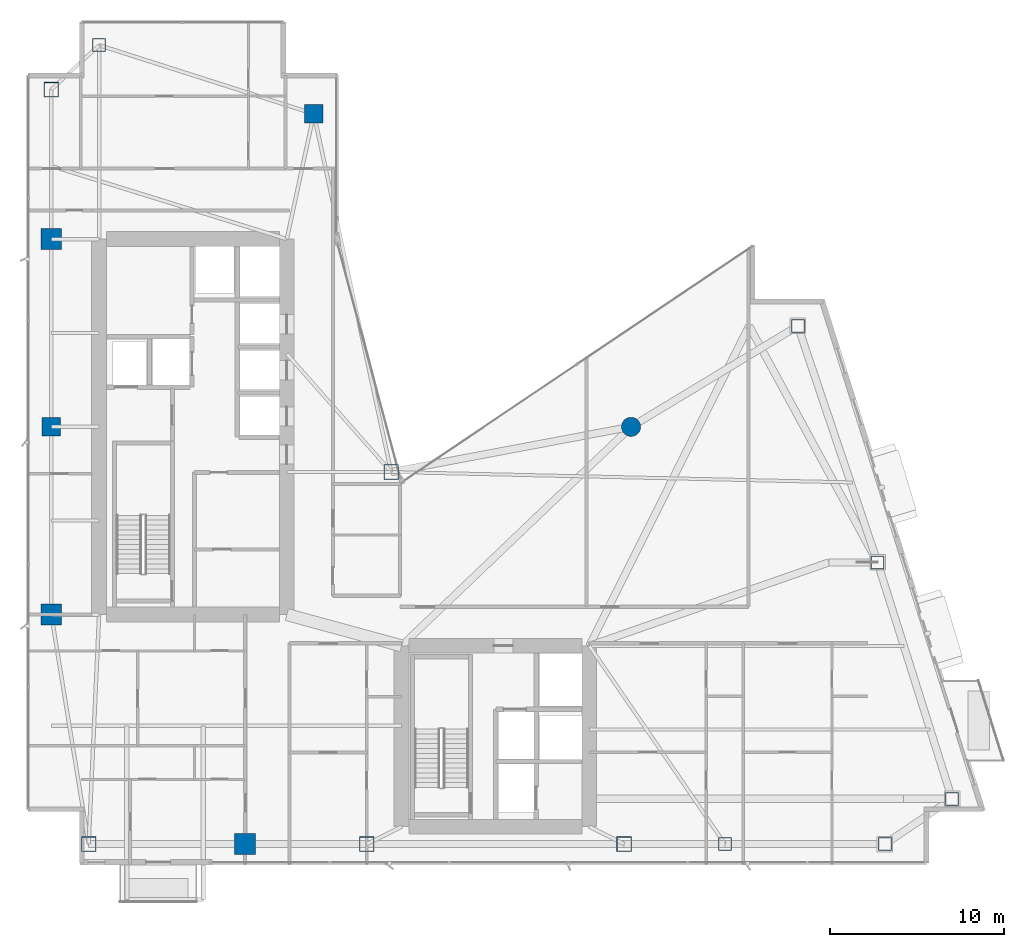
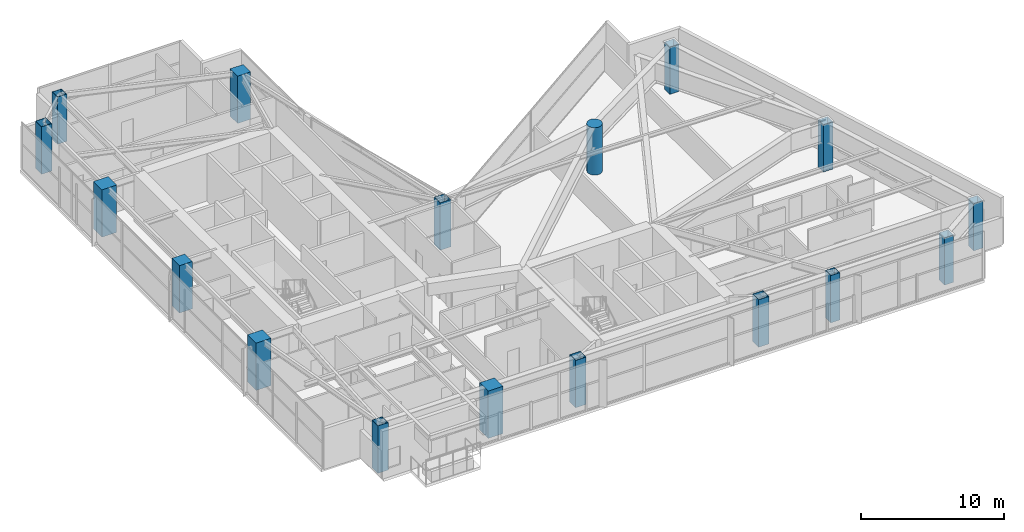
# One storey, part 1 of 30: 17 columns.
"""IFC4 building model written with IfcOpenShell, lengths in metres."""

from ifc_helpers import new_model, si_unit, direction, frame, origin, origin_2d, place, context, subcontext, project, spatial, rectangle, hollow_rectangle, circle, extrude, material, material_profile, profile_set, type_object, element, save


model = new_model("IFC4")

# Units and contexts
model_context = context("Model", 3, precision=1e-05, world=origin(), true_north=direction((0.0, 1.0)))
body_context = subcontext(model_context, "Body", "Model", "MODEL_VIEW")
ifc_project = project(units=[si_unit("LENGTHUNIT", "METRE"), si_unit("AREAUNIT", "SQUARE_METRE"), si_unit("VOLUMEUNIT", "CUBIC_METRE"), si_unit("PLANEANGLEUNIT", "RADIAN"), si_unit("MASSUNIT", "GRAM", prefix="KILO")], contexts=[model_context])

# Site, building, storey
site_placement = place(None, origin())
site = spatial("IfcSite", under=ifc_project, at=site_placement, CompositionType="ELEMENT")
building_placement = place(site_placement, origin())
building = spatial("IfcBuilding", under=site, at=building_placement, Name="Calvorn Quay Hotel", CompositionType="ELEMENT")
storey_placement = place(building_placement, frame((0.0, 0.0, 195.10009765625)))
storey = spatial("IfcBuildingStorey", under=building, at=storey_placement, Name="L48", CompositionType="ELEMENT", Elevation=195.10009765625)

# Columns
ifc_material_1 = material(Name="Concrete C50", Category="concrete")
ifc_material_profile_1 = material_profile(ifc_material_1, rectangle(XDim=1.050048828125, YDim=1.050048828125, at=origin_2d()), Name="RC1050x1050")
ifc_profile_set_1 = profile_set([ifc_material_profile_1], Name="Concrete C50")
column_type_1 = type_object("IfcColumnType", Name="COL-RC-1050", PredefinedType="COLUMN", material=ifc_profile_set_1)
for number, where, z_axis, x_axis, name in (
    (1, (1.449951171875, 27.60009765625, 0.0), (0.0, 0.0, 1.0), (1.0, 0.0, 0.0), "Column C-W3 (L48)"),
    (2, (16.550048828125, 45.60009765625, 0.0), (0.0, 0.0, 1.0), (1.0, 0.0, 0.0), "Column C-IC1 (L48)"),
):
    element("IfcColumn", number, at=place(storey_placement, frame(where, z_axis=z_axis, x_axis=x_axis)), inside=storey, type_object=column_type_1, Name=name, PredefinedType="COLUMN", context=body_context, shape_type="SweptSolid", body=[
        extrude(rectangle(XDim=1.050048828125, YDim=1.050048828125, at=origin_2d()), origin(), (0.0, 0.0, 1.0), 4.0498046875),
    ])
ifc_material_2 = material(Name="Concrete C50", Category="concrete")
ifc_material_profile_2 = material_profile(ifc_material_2, rectangle(XDim=1.199951171875, YDim=1.199951171875, at=origin_2d()), Name="RC1200x1200")
ifc_profile_set_2 = profile_set([ifc_material_profile_2], Name="Concrete C50")
column_type_2 = type_object("IfcColumnType", Name="COL-RC-1200", PredefinedType="COLUMN", material=ifc_profile_set_2)
for number, where, z_axis, x_axis, name in (
    (3, (1.449951171875, 16.800048828125, 0.0), (0.0, 0.0, 1.0), (1.0, 0.0, 0.0), "Column C-W2 (L48)"),
    (4, (1.449951171875, 38.39990234375, 0.0), (0.0, 0.0, 1.0), (1.0, 0.0, 0.0), "Column C-W4 (L48)"),
    (5, (12.60009765625, 3.60009765625, 0.0), (0.0, 0.0, 1.0), (1.0, 0.0, 0.0), "Column C-S1 (L48)"),
):
    element("IfcColumn", number, at=place(storey_placement, frame(where, z_axis=z_axis, x_axis=x_axis)), inside=storey, type_object=column_type_2, Name=name, PredefinedType="COLUMN", context=body_context, shape_type="SweptSolid", body=[
        extrude(rectangle(XDim=1.199951171875, YDim=1.199951171875, at=origin_2d()), origin(), (0.0, 0.0, 1.0), 4.0498046875),
    ])
ifc_material_3 = material(Name="Concrete C50", Category="concrete")
ifc_material_profile_3 = material_profile(ifc_material_3, circle(Radius=0.550048828125, at=origin_2d()), Name="RCD1100")
ifc_profile_set_3 = profile_set([ifc_material_profile_3], Name="Concrete C50")
column_type_3 = type_object("IfcColumnType", Name="COL-RC-D1100", PredefinedType="COLUMN", material=ifc_profile_set_3)
column_placement = place(storey_placement, frame((34.800048828125, 27.60009765625, 0.0), z_axis=(0.0, 0.0, 1.0), x_axis=(1.0, 0.0, 0.0)))
element("IfcColumn", 6, at=column_placement, inside=storey, type_object=column_type_3, Name="Column C-NC1 (L48)", PredefinedType="COLUMN", context=body_context, shape_type="SweptSolid", body=[
    extrude(circle(Radius=0.550048828125, at=origin_2d()), origin(), (0.0, 0.0, 1.0), 4.0498046875),
])
ifc_material_4 = material(Name="Steel Q390GJC", Category="steel")
ifc_material_profile_4 = material_profile(ifc_material_4, hollow_rectangle(XDim=0.85009765625, YDim=0.85009765625, WallThickness=0.035888671875, at=origin_2d()), Name="BOX850x850x36")
ifc_profile_set_4 = profile_set([ifc_material_profile_4], Name="Steel Q390GJC")
column_type_4 = type_object("IfcColumnType", Name="COL-STL-Z2", PredefinedType="COLUMN", material=ifc_profile_set_4)
for number, where, z_axis, x_axis, name in (
    (7, (3.60009765625, 3.60009765625, 0.0), (0.0, 0.0, 1.0), (1.0, 0.0, 0.0), "Column C-W1 (L48)"),
    (8, (1.449951171875, 47.0, 0.0), (0.0, 0.0, 1.0), (1.0, 0.0, 0.0), "Column C-W5 (L48)"),
    (9, (21.0, 25.0, 0.0), (0.0, 0.0, 1.0), (1.0, 0.0, 0.0), "Column C-IC2 (L48)"),
    (10, (19.60009765625, 3.60009765625, 0.0), (0.0, 0.0, 1.0), (1.0, 0.0, 0.0), "Column C-S2 (L48)"),
    (11, (34.39990234375, 3.60009765625, 0.0), (0.0, 0.0, 1.0), (1.0, 0.0, 0.0), "Column C-S3 (L48)"),
):
    element("IfcColumn", number, at=place(storey_placement, frame(where, z_axis=z_axis, x_axis=x_axis)), inside=storey, type_object=column_type_4, Name=name, PredefinedType="COLUMN", context=body_context, shape_type="SweptSolid", body=[
        extrude(hollow_rectangle(XDim=0.85009765625, YDim=0.85009765625, WallThickness=0.035888671875, at=origin_2d()), origin(), (0.0, 0.0, 1.0), 4.0498046875),
    ])
ifc_material_5 = material(Name="Steel Q390GJC", Category="steel")
ifc_material_profile_5 = material_profile(ifc_material_5, hollow_rectangle(XDim=0.75, YDim=0.75, WallThickness=0.031982421875, at=origin_2d()), Name="BOX750x750x32")
ifc_profile_set_5 = profile_set([ifc_material_profile_5], Name="Steel Q390GJC")
column_type_5 = type_object("IfcColumnType", Name="COL-STL-Z3", PredefinedType="COLUMN", material=ifc_profile_set_5)
for number, where, z_axis, x_axis, name in (
    (12, (4.199951171875, 49.550048828125, 0.0), (0.0, 0.0, 1.0), (1.0, 0.0, 0.0), "Column C-NW1 (L48)"),
    (13, (40.199951171875, 3.60009765625, 0.0), (0.0, 0.0, 1.0), (1.0, 0.0, 0.0), "Column C-S4 (L48)"),
    (14, (49.39990234375, 3.60009765625, 0.0), (0.0, 0.0, 1.0), (1.0, 0.0, 0.0), "Column C-S5 (L48)"),
    (15, (53.260986328125, 6.199951171875, 0.0), (0.0, 0.0, 1.0), (1.0, 0.0, 0.0), "Column C-ET1 (L48)"),
    (16, (48.97607421875, 19.800048828125, 0.0), (0.0, 0.0, 1.0), (1.0, 0.0, 0.0), "Column C-ET2 (L48)"),
    (17, (44.39111328125, 33.39990234375, 0.0), (0.0, 0.0, 1.0), (1.0, 0.0, 0.0), "Column C-ET3 (L48)"),
):
    element("IfcColumn", number, at=place(storey_placement, frame(where, z_axis=z_axis, x_axis=x_axis)), inside=storey, type_object=column_type_5, Name=name, PredefinedType="COLUMN", context=body_context, shape_type="SweptSolid", body=[
        extrude(hollow_rectangle(XDim=0.75, YDim=0.75, WallThickness=0.031982421875, at=origin_2d()), origin(), (0.0, 0.0, 1.0), 4.0498046875),
    ])

save(model, "model.ifc")
